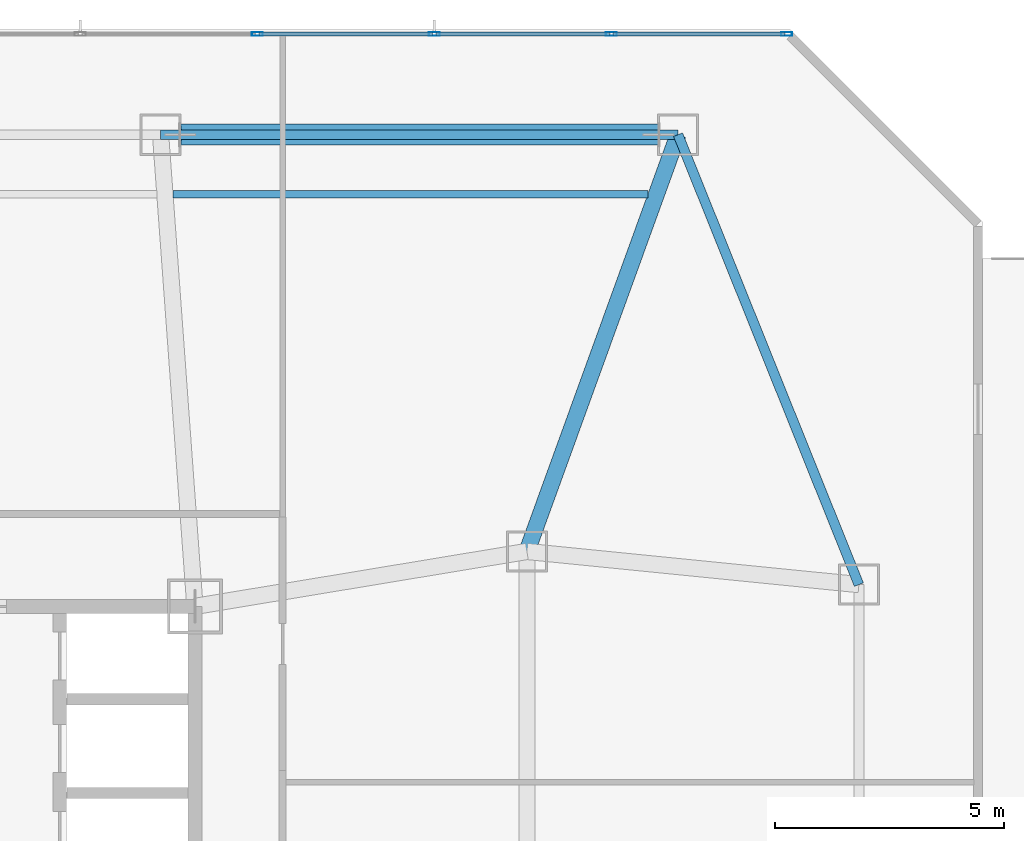
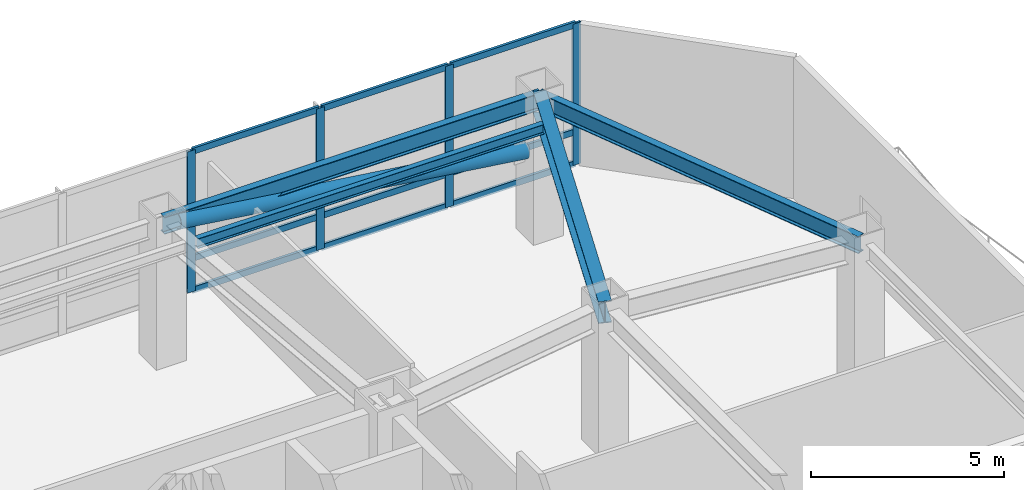
# One storey, part 4 of 16: 14 members, 4 beams, 1 element without a shape of its own.
"""IFC4 building model written with IfcOpenShell, lengths in metres."""

import ifcopenshell
import ifcopenshell.guid

model = None  # the IFC model being written
_history = None  # IfcOwnerHistory: only IFC2X3 demands one
_inside = {}  # id of a spatial element -> (the spatial element, [elements in it])
_under = {}  # id of a project, library or spatial element -> (it, [spatial elements below it])
_declared = {}  # id of a project -> (the project, [libraries it declares])
_typed = {}  # id of a type object -> (the type object, [elements of that type])
_made_of = {}  # id of a material, layer set ... -> (it, [elements and type objects made of it])


def new_model(schema):
    """Start an empty IFC model of exactly this schema.

    Asked for "IFC4X3", IfcOpenShell would pick the latest addendum, in which some entities
    have other attributes; the version numbers below select the first issue.
    IFC2X3 requires an IfcOwnerHistory on every rooted entity: one is made here for all.
    """
    global model, _history
    if schema == "IFC4X3":
        model = ifcopenshell.file(schema_version=(4, 3, 0, 0))
    else:
        model = ifcopenshell.file(schema=schema)
    _inside.clear()
    _under.clear()
    _declared.clear()
    _typed.clear()
    _made_of.clear()
    _history = None
    if model.schema == "IFC2X3":
        org = make("IfcOrganization", Name="unknown")
        user = make(
            "IfcPersonAndOrganization",
            ThePerson=make("IfcPerson", FamilyName="unknown"),
            TheOrganization=org,
        )
        app = make(
            "IfcApplication",
            ApplicationDeveloper=org,
            Version="unknown",
            ApplicationFullName="unknown",
            ApplicationIdentifier="unknown",
        )
        _history = make(
            "IfcOwnerHistory",
            OwningUser=user,
            OwningApplication=app,
            ChangeAction="ADDED",
            CreationDate=0,
        )
    return model


def make(cls, **values):
    """One entity of the class cls with the attributes given. An attribute that is None is left unset."""
    return model.create_entity(
        cls, **{name: value for name, value in values.items() if value is not None}
    )


def rooted(cls, **values):
    """An entity with a GlobalId (a new one), such as an element, a storey or a relation."""
    return make(cls, GlobalId=ifcopenshell.guid.new(), OwnerHistory=_history, **values)


def si_unit(unit_type, name, prefix=None):
    """IfcSIUnit, for example si_unit("LENGTHUNIT", "METRE", prefix="MILLI")."""
    return make("IfcSIUnit", UnitType=unit_type, Prefix=prefix, Name=name)


def assignment(units):
    """IfcUnitAssignment: the units of a project."""
    return None if units is None else make("IfcUnitAssignment", Units=units)


def point(xyz):
    """IfcCartesianPoint."""
    return None if xyz is None else make("IfcCartesianPoint", Coordinates=xyz)


def direction(xyz):
    """IfcDirection."""
    return None if xyz is None else make("IfcDirection", DirectionRatios=xyz)


def frame(location, z_axis=None, x_axis=None):
    """IfcAxis2Placement3D, a coordinate frame: its origin and axes. An axis left out is left unset."""
    return make(
        "IfcAxis2Placement3D",
        Location=point(location),
        Axis=direction(z_axis),
        RefDirection=direction(x_axis),
    )


def frame_2d(location, x_axis=None):
    """IfcAxis2Placement2D, a coordinate frame in the plane: its origin and x axis."""
    return make(
        "IfcAxis2Placement2D", Location=point(location), RefDirection=direction(x_axis)
    )


def origin():
    """The frame at (0, 0, 0) with its axes left unset."""
    return frame((0.0, 0.0, 0.0))


def origin_2d():
    """The frame at (0, 0) in the plane with its x axis left unset."""
    return frame_2d((0.0, 0.0))


def place(relative_to, where):
    """IfcLocalPlacement: puts the frame where relative to a parent placement (None: the world)."""
    return make(
        "IfcLocalPlacement", PlacementRelTo=relative_to, RelativePlacement=where
    )


def context(
    kind, dimensions, precision=None, world=None, true_north=None, identifier=None
):
    """IfcGeometricRepresentationContext, for example the 3D "Model" context."""
    return make(
        "IfcGeometricRepresentationContext",
        ContextIdentifier=identifier,
        ContextType=kind,
        CoordinateSpaceDimension=dimensions,
        Precision=precision,
        WorldCoordinateSystem=world,
        TrueNorth=true_north,
    )


def subcontext(parent, identifier, kind, view, scale=None):
    """IfcGeometricRepresentationSubContext, for example "Body" below "Model"."""
    return make(
        "IfcGeometricRepresentationSubContext",
        ContextIdentifier=identifier,
        ContextType=kind,
        ParentContext=parent,
        TargetScale=scale,
        TargetView=view,
    )


def project(units=None, contexts=None):
    """IfcProject with its units and contexts."""
    return rooted(
        "IfcProject",
        Name="project",
        RepresentationContexts=contexts,
        UnitsInContext=assignment(units),
    )


def spatial(cls, under=None, at=None, **own):
    """A site, building, storey or space (cls), placed at a placement, below another one or the project."""
    s = rooted(cls, ObjectPlacement=at, **own)
    if under is not None:
        _under.setdefault(under.id(), (under, []))[1].append(s)
    return s


def profile(cls, at=None, kind="AREA", **sizes):
    """A parametric profile (cls). Its sizes go by their IFC names, for example OverallWidth=200.0."""
    return make(cls, ProfileType=kind, Position=at, **sizes)


def hollow_rectangle(**sizes):
    """IfcRectangleHollowProfileDef."""
    return profile("IfcRectangleHollowProfileDef", **sizes)


def hollow_circle(**sizes):
    """IfcCircleHollowProfileDef."""
    return profile("IfcCircleHollowProfileDef", **sizes)


def i_section(**sizes):
    """IfcIShapeProfileDef."""
    return profile("IfcIShapeProfileDef", **sizes)


def extrude(swept, where, along, depth):
    """IfcExtrudedAreaSolid: the profile swept, set in the frame where, extruded along a direction by depth."""
    return make(
        "IfcExtrudedAreaSolid",
        SweptArea=swept,
        Position=where,
        ExtrudedDirection=direction(along),
        Depth=depth,
    )


def shape(context_of_items, identifier, shape_type, items):
    """IfcShapeRepresentation: the items that make up one representation, for example the "Body"."""
    return make(
        "IfcShapeRepresentation",
        ContextOfItems=context_of_items,
        RepresentationIdentifier=identifier,
        RepresentationType=shape_type,
        Items=items,
    )


def material(Name=None, Category=None):
    """IfcMaterial."""
    return make("IfcMaterial", Name=Name, Category=Category)


def material_profile(
    of_material, cross_section, Name=None, Category=None, Priority=None
):
    """IfcMaterialProfile: a cross section and its material."""
    return make(
        "IfcMaterialProfile",
        Name=Name,
        Material=of_material,
        Profile=cross_section,
        Priority=Priority,
        Category=Category,
    )


def profile_set(profiles, Name=None, composite=None):
    """IfcMaterialProfileSet."""
    return make(
        "IfcMaterialProfileSet",
        Name=Name,
        MaterialProfiles=profiles,
        CompositeProfile=composite,
    )


def made_of(thing, what):
    """Note that an element or type object is made of a material, layer set ...; save() writes the relation."""
    if what is not None:
        _made_of.setdefault(what.id(), (what, []))[1].append(thing)
    return thing


def type_object(cls, material=None, **own):
    """A type object (cls), such as IfcWallType, which elements share."""
    return made_of(rooted(cls, **own), material)


def element(
    cls,
    number,
    at=None,
    inside=None,
    cuts=None,
    type_object=None,
    material=None,
    context=None,
    identifier="Body",
    shape_type=None,
    held_by="IfcProductDefinitionShape",
    body=None,
    shapes=None,
    **own,
):
    """One element of the class cls, such as IfcWall. Its Tag is "e" and its number.

    at: its placement. inside: the storey or other place that contains it. cuts: it is an
    opening in that element (IfcRelVoidsElement). A single representation is given by context,
    identifier, shape_type and body (its items); several are given by shapes. held_by: the class
    of the entity that holds the representations. save() writes the other relations.
    """
    e = rooted(cls, Tag="e%d" % number, ObjectPlacement=at, **own)
    if body is not None:
        shapes = [shape(context, identifier, shape_type, body)]
    if shapes is not None:
        e.Representation = make(held_by, Representations=shapes)
    if inside is not None:
        _inside.setdefault(inside.id(), (inside, []))[1].append(e)
    if cuts is not None:
        rooted(
            "IfcRelVoidsElement", RelatingBuildingElement=cuts, RelatedOpeningElement=e
        )
    if type_object is not None:
        _typed.setdefault(type_object.id(), (type_object, []))[1].append(e)
    return made_of(e, material)


def aggregate(whole, parts):
    """IfcRelAggregates: a whole, such as a stair, and the parts it consists of."""
    return rooted("IfcRelAggregates", RelatingObject=whole, RelatedObjects=parts)


def save(model, path):
    """Write the relations noted so far, then the file.

    IfcRelAggregates (storeys below a building ...), IfcRelContainedInSpatialStructure (elements
    in a storey), IfcRelDefinesByType, IfcRelAssociatesMaterial and IfcRelDeclares: one each for
    every whole, place, type object, material and project.
    """
    for whole, parts in _under.values():
        aggregate(whole, parts)
    for where, things in _inside.values():
        rooted(
            "IfcRelContainedInSpatialStructure",
            RelatedElements=things,
            RelatingStructure=where,
        )
    for kind, things in _typed.values():
        rooted("IfcRelDefinesByType", RelatedObjects=things, RelatingType=kind)
    for what, things in _made_of.values():
        rooted("IfcRelAssociatesMaterial", RelatedObjects=things, RelatingMaterial=what)
    for by, libraries in _declared.values():
        rooted("IfcRelDeclares", RelatingContext=by, RelatedDefinitions=libraries)
    model.write(path)


model = new_model("IFC4")

# Units and contexts
model_context = context("Model", 3, precision=1e-05, world=origin(), true_north=direction((0.0, 1.0)))
body_context = subcontext(model_context, "Body", "Model", "MODEL_VIEW")
ifc_project = project(units=[si_unit("LENGTHUNIT", "METRE"), si_unit("AREAUNIT", "SQUARE_METRE"), si_unit("VOLUMEUNIT", "CUBIC_METRE"), si_unit("PLANEANGLEUNIT", "RADIAN"), si_unit("MASSUNIT", "GRAM", prefix="KILO")], contexts=[model_context])

# Site, building, storey
site_placement = place(None, origin())
site = spatial("IfcSite", under=ifc_project, at=site_placement, CompositionType="ELEMENT")
building_placement = place(site_placement, origin())
building = spatial("IfcBuilding", under=site, at=building_placement, Name="Khamvora Tower", CompositionType="ELEMENT")
storey_placement = place(building_placement, frame((0.0, 0.0, 145.699951171875)))
storey = spatial("IfcBuildingStorey", under=building, at=storey_placement, Name="L37", CompositionType="ELEMENT", Elevation=145.699951171875)

# Beams
ifc_material_1 = material(Name="Steel S355", Category="steel")
ifc_material_profile_1 = material_profile(ifc_material_1, i_section(OverallWidth=0.166015625, OverallDepth=0.31298828125, WebThickness=0.007080078125, FlangeThickness=0.010986328125, FilletRadius=0.010009765625, at=origin_2d()), Name="W310x45")
ifc_profile_set_1 = profile_set([ifc_material_profile_1], Name="Steel S355")
beam_type_1 = type_object("IfcBeamType", Name="BM-JS-W310x45", PredefinedType="JOIST", material=ifc_profile_set_1)
beam_1_placement = place(storey_placement, frame((38.91796875, 46.0, 4.323974609375), z_axis=(1.0, 0.0, 0.0), x_axis=(0.0, 1.0, 0.0)))
element("IfcBeam", 1, at=beam_1_placement, inside=storey, type_object=beam_type_1, Name="L37 secondary floor joist 08", PredefinedType="JOIST", context=body_context, shape_type="SweptSolid", body=[
    extrude(i_section(OverallWidth=0.166015625, OverallDepth=0.31298828125, WebThickness=0.007080078125, FlangeThickness=0.010986328125, FilletRadius=0.010009765625, at=origin_2d()), origin(), (0.0, 0.0, 1.0), 10.376953125),
])
ifc_material_profile_2 = material_profile(ifc_material_1, i_section(OverallWidth=0.35498046875, OverallDepth=0.695068359375, WebThickness=0.014892578125, FlangeThickness=0.02490234375, FilletRadius=0.01611328125, at=origin_2d()), Name="W690x217")
ifc_profile_set_2 = profile_set([ifc_material_profile_2], Name="Steel S355")
beam_type_2 = type_object("IfcBeamType", Name="BM-PG-W690x217", PredefinedType="BEAM", material=ifc_profile_set_2)
beam_2_placement = place(storey_placement, frame((46.64990234375, 38.199951171875, 4.133056640625), z_axis=(0.340914681567, 0.940094239899, 0.0), x_axis=(-0.940094239899, 0.340914681567, 0.0)))
element("IfcBeam", 2, at=beam_2_placement, inside=storey, type_object=beam_type_2, Name="L37 primary floor girder N4", PredefinedType="BEAM", context=body_context, shape_type="SweptSolid", body=[
    extrude(i_section(OverallWidth=0.35498046875, OverallDepth=0.695068359375, WebThickness=0.014892578125, FlangeThickness=0.02490234375, FilletRadius=0.01611328125, at=origin_2d()), origin(), (0.0, 0.0, 1.0), 9.679931640625),
])
ifc_material_profile_3 = material_profile(ifc_material_1, i_section(OverallWidth=0.2119140625, OverallDepth=0.5439453125, WebThickness=0.012939453125, FlangeThickness=0.02099609375, FilletRadius=0.013916015625, at=origin_2d()), Name="W530x123")
ifc_profile_set_3 = profile_set([ifc_material_profile_3], Name="Steel S355")
beam_type_3 = type_object("IfcBeamType", Name="BM-SP-W530x123", PredefinedType="SPANDREL", material=ifc_profile_set_3)
beam_3_placement = place(storey_placement, frame((53.89990234375, 37.47509765625, 4.2080078125), z_axis=(-0.373015921536, 0.927824941614, 0.0), x_axis=(-0.927824941614, -0.373015921536, 0.0)))
element("IfcBeam", 3, at=beam_3_placement, inside=storey, type_object=beam_type_3, Name="L37 perimeter spandrel beam E2-N4", PredefinedType="SPANDREL", context=body_context, shape_type="SweptSolid", body=[
    extrude(i_section(OverallWidth=0.2119140625, OverallDepth=0.5439453125, WebThickness=0.012939453125, FlangeThickness=0.02099609375, FilletRadius=0.013916015625, at=origin_2d()), origin(), (0.0, 0.0, 1.0), 10.589111328125),
])
beam_4_placement = place(storey_placement, frame((49.949951171875, 47.300048828125, 4.2080078125), z_axis=(-1.0, 0.0, 0.0), x_axis=(0.0, -1.0, 0.0)))
element("IfcBeam", 4, at=beam_4_placement, inside=storey, type_object=beam_type_3, Name="L37 perimeter spandrel beam N4-N3", PredefinedType="SPANDREL", context=body_context, shape_type="SweptSolid", body=[
    extrude(i_section(OverallWidth=0.2119140625, OverallDepth=0.5439453125, WebThickness=0.012939453125, FlangeThickness=0.02099609375, FilletRadius=0.013916015625, at=origin_2d()), origin(), (0.0, 0.0, 1.0), 11.300048828125),
])

# Curtain wall, members
ifc_material_2 = material(Name="Anodised Aluminium 6063-T6", Category="aluminium")
curtain_wall_type = type_object("IfcCurtainWallType", Name="CW-SYS-06", PredefinedType="NOTDEFINED", material=ifc_material_2)
curtain_wall_placement = place(storey_placement, origin())
curtain_wall = element("IfcCurtainWall", 5, at=curtain_wall_placement, inside=storey, type_object=curtain_wall_type, Name="L37 stick curtain wall 07.1", PredefinedType="NOTDEFINED")
ifc_material_profile_4 = material_profile(ifc_material_2, hollow_rectangle(XDim=0.080078125, YDim=0.239990234375, WallThickness=0.0048828125, at=origin_2d()), Name="MUL80x240x5")
ifc_profile_set_4 = profile_set([ifc_material_profile_4], Name="Anodised Aluminium 6063-T6")
member_type_1 = type_object("IfcMemberType", Name="CW-SYS-06-MUL", PredefinedType="MULLION", material=ifc_profile_set_4)
member_1_placement = place(storey_placement, frame((40.761962890625, 49.5, 0.0), z_axis=(0.0, 0.0, 1.0), x_axis=(0.0, 1.0, 0.0)))
member_1 = element("IfcMember", 6, at=member_1_placement, type_object=member_type_1, Name="CW-06 mullion 8", PredefinedType="MULLION", context=body_context, shape_type="SweptSolid", body=[
    extrude(hollow_rectangle(XDim=0.080078125, YDim=0.239990234375, WallThickness=0.0048828125, at=origin_2d()), origin(), (0.0, 0.0, 1.0), 4.47998046875),
])
member_2_placement = place(storey_placement, frame((44.627685546875, 49.5, 0.0), z_axis=(0.0, 0.0, 1.0), x_axis=(0.0, 1.0, 0.0)))
member_2 = element("IfcMember", 7, at=member_2_placement, type_object=member_type_1, Name="CW-06 mullion 9", PredefinedType="MULLION", context=body_context, shape_type="SweptSolid", body=[
    extrude(hollow_rectangle(XDim=0.080078125, YDim=0.239990234375, WallThickness=0.0048828125, at=origin_2d()), origin(), (0.0, 0.0, 1.0), 4.47998046875),
])
member_3_placement = place(storey_placement, frame((48.493408203125, 49.5, 0.0), z_axis=(0.0, 0.0, 1.0), x_axis=(0.0, 1.0, 0.0)))
member_3 = element("IfcMember", 8, at=member_3_placement, type_object=member_type_1, Name="CW-06 mullion 10", PredefinedType="MULLION", context=body_context, shape_type="SweptSolid", body=[
    extrude(hollow_rectangle(XDim=0.080078125, YDim=0.239990234375, WallThickness=0.0048828125, at=origin_2d()), origin(), (0.0, 0.0, 1.0), 4.47998046875),
])
member_4_placement = place(storey_placement, frame((52.319091796875, 49.5, 0.0), z_axis=(0.0, 0.0, 1.0), x_axis=(0.0, 1.0, 0.0)))
member_4 = element("IfcMember", 9, at=member_4_placement, type_object=member_type_1, Name="CW-06 mullion 11", PredefinedType="MULLION", context=body_context, shape_type="SweptSolid", body=[
    extrude(hollow_rectangle(XDim=0.080078125, YDim=0.239990234375, WallThickness=0.0048828125, at=origin_2d()), origin(), (0.0, 0.0, 1.0), 4.47998046875),
])
ifc_material_profile_5 = material_profile(ifc_material_2, hollow_rectangle(XDim=0.080078125, YDim=0.195068359375, WallThickness=0.0048828125, at=origin_2d()), Name="TRN80x195x5")
ifc_profile_set_5 = profile_set([ifc_material_profile_5], Name="Anodised Aluminium 6063-T6")
member_type_2 = type_object("IfcMemberType", Name="CW-SYS-06-TRN", PredefinedType="USERDEFINED", material=ifc_profile_set_5)
member_5_placement = place(storey_placement, frame((40.802001953125, 49.5, 0.0400390625), z_axis=(1.0, 0.0, 0.0), x_axis=(0.0, 1.0, 0.0)))
member_5 = element("IfcMember", 10, at=member_5_placement, type_object=member_type_2, Name="CW-06 transom 8.1", ObjectType="TRANSOM", PredefinedType="USERDEFINED", context=body_context, shape_type="SweptSolid", body=[
    extrude(hollow_rectangle(XDim=0.080078125, YDim=0.195068359375, WallThickness=0.0048828125, at=origin_2d()), origin(), (0.0, 0.0, 1.0), 3.78564453125),
])
member_6_placement = place(storey_placement, frame((40.802001953125, 49.5, 1.050048828125), z_axis=(1.0, 0.0, 0.0), x_axis=(0.0, 1.0, 0.0)))
member_6 = element("IfcMember", 11, at=member_6_placement, type_object=member_type_2, Name="CW-06 transom 8.2", ObjectType="TRANSOM", PredefinedType="USERDEFINED", context=body_context, shape_type="SweptSolid", body=[
    extrude(hollow_rectangle(XDim=0.080078125, YDim=0.195068359375, WallThickness=0.0048828125, at=origin_2d()), origin(), (0.0, 0.0, 1.0), 3.78564453125),
])
member_7_placement = place(storey_placement, frame((40.802001953125, 49.5, 4.43994140625), z_axis=(1.0, 0.0, 0.0), x_axis=(0.0, 1.0, 0.0)))
member_7 = element("IfcMember", 12, at=member_7_placement, type_object=member_type_2, Name="CW-06 transom 8.3", ObjectType="TRANSOM", PredefinedType="USERDEFINED", context=body_context, shape_type="SweptSolid", body=[
    extrude(hollow_rectangle(XDim=0.080078125, YDim=0.195068359375, WallThickness=0.0048828125, at=origin_2d()), origin(), (0.0, 0.0, 1.0), 3.78564453125),
])
member_8_placement = place(storey_placement, frame((44.66748046875, 49.5, 0.0400390625), z_axis=(1.0, 0.0, 0.0), x_axis=(0.0, 1.0, 0.0)))
member_8 = element("IfcMember", 13, at=member_8_placement, type_object=member_type_2, Name="CW-06 transom 9.1", ObjectType="TRANSOM", PredefinedType="USERDEFINED", context=body_context, shape_type="SweptSolid", body=[
    extrude(hollow_rectangle(XDim=0.080078125, YDim=0.195068359375, WallThickness=0.0048828125, at=origin_2d()), origin(), (0.0, 0.0, 1.0), 3.785888671875),
])
member_9_placement = place(storey_placement, frame((44.66748046875, 49.5, 1.050048828125), z_axis=(1.0, 0.0, 0.0), x_axis=(0.0, 1.0, 0.0)))
member_9 = element("IfcMember", 14, at=member_9_placement, type_object=member_type_2, Name="CW-06 transom 9.2", ObjectType="TRANSOM", PredefinedType="USERDEFINED", context=body_context, shape_type="SweptSolid", body=[
    extrude(hollow_rectangle(XDim=0.080078125, YDim=0.195068359375, WallThickness=0.0048828125, at=origin_2d()), origin(), (0.0, 0.0, 1.0), 3.785888671875),
])
member_10_placement = place(storey_placement, frame((44.66748046875, 49.5, 4.43994140625), z_axis=(1.0, 0.0, 0.0), x_axis=(0.0, 1.0, 0.0)))
member_10 = element("IfcMember", 15, at=member_10_placement, type_object=member_type_2, Name="CW-06 transom 9.3", ObjectType="TRANSOM", PredefinedType="USERDEFINED", context=body_context, shape_type="SweptSolid", body=[
    extrude(hollow_rectangle(XDim=0.080078125, YDim=0.195068359375, WallThickness=0.0048828125, at=origin_2d()), origin(), (0.0, 0.0, 1.0), 3.785888671875),
])
member_11_placement = place(storey_placement, frame((48.533203125, 49.5, 0.0400390625), z_axis=(1.0, 0.0, 0.0), x_axis=(0.0, 1.0, 0.0)))
member_11 = element("IfcMember", 16, at=member_11_placement, type_object=member_type_2, Name="CW-06 transom 10.1", ObjectType="TRANSOM", PredefinedType="USERDEFINED", context=body_context, shape_type="SweptSolid", body=[
    extrude(hollow_rectangle(XDim=0.080078125, YDim=0.195068359375, WallThickness=0.0048828125, at=origin_2d()), origin(), (0.0, 0.0, 1.0), 3.745849609375),
])
member_12_placement = place(storey_placement, frame((48.533203125, 49.5, 1.050048828125), z_axis=(1.0, 0.0, 0.0), x_axis=(0.0, 1.0, 0.0)))
member_12 = element("IfcMember", 17, at=member_12_placement, type_object=member_type_2, Name="CW-06 transom 10.2", ObjectType="TRANSOM", PredefinedType="USERDEFINED", context=body_context, shape_type="SweptSolid", body=[
    extrude(hollow_rectangle(XDim=0.080078125, YDim=0.195068359375, WallThickness=0.0048828125, at=origin_2d()), origin(), (0.0, 0.0, 1.0), 3.745849609375),
])
member_13_placement = place(storey_placement, frame((48.533203125, 49.5, 4.43994140625), z_axis=(1.0, 0.0, 0.0), x_axis=(0.0, 1.0, 0.0)))
member_13 = element("IfcMember", 18, at=member_13_placement, type_object=member_type_2, Name="CW-06 transom 10.3", ObjectType="TRANSOM", PredefinedType="USERDEFINED", context=body_context, shape_type="SweptSolid", body=[
    extrude(hollow_rectangle(XDim=0.080078125, YDim=0.195068359375, WallThickness=0.0048828125, at=origin_2d()), origin(), (0.0, 0.0, 1.0), 3.745849609375),
])
aggregate(curtain_wall, [member_1, member_2, member_3, member_4, member_5, member_6, member_7, member_8, member_9, member_10, member_11, member_12, member_13])

# Member
ifc_material_profile_6 = material_profile(ifc_material_1, hollow_circle(Radius=0.228515625, WallThickness=0.02001953125, at=origin_2d()), Name="CHS457x20")
ifc_profile_set_6 = profile_set([ifc_material_profile_6], Name="Steel S355")
member_type_3 = type_object("IfcMemberType", Name="MEM-BR-CHS457", PredefinedType="BRACE", material=ifc_profile_set_6)
member_14_placement = place(storey_placement, frame((49.52392578125, 47.300048828125, 2.738037109375), z_axis=(-0.99094044707, 0.0, 0.134302011754), x_axis=(0.0, -1.0, 0.0)))
element("IfcMember", 19, at=member_14_placement, inside=storey, type_object=member_type_3, Name="L37 perimeter wind brace 2", PredefinedType="BRACE", context=body_context, shape_type="SweptSolid", body=[
    extrude(hollow_circle(Radius=0.228515625, WallThickness=0.02001953125, at=origin_2d()), origin(), (0.0, 0.0, 1.0), 10.54345703125),
])

save(model, "model.ifc")
